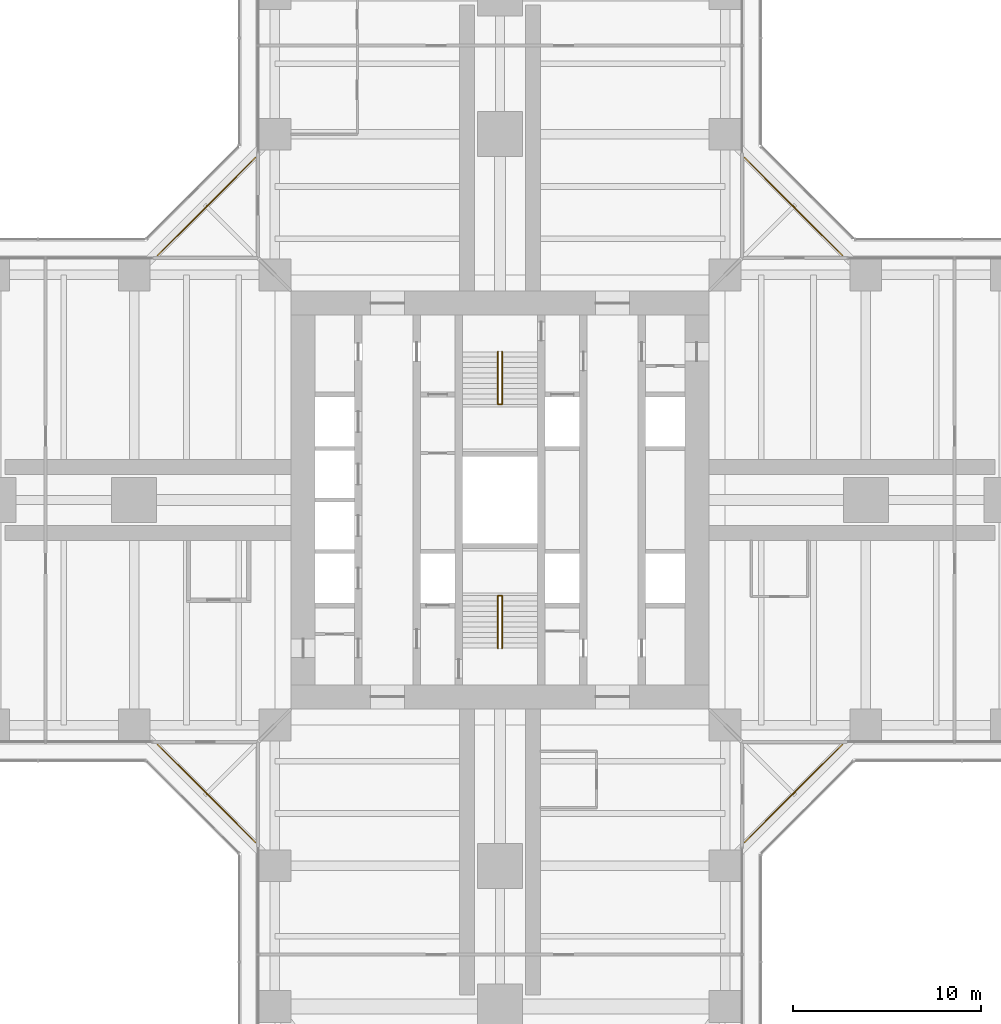
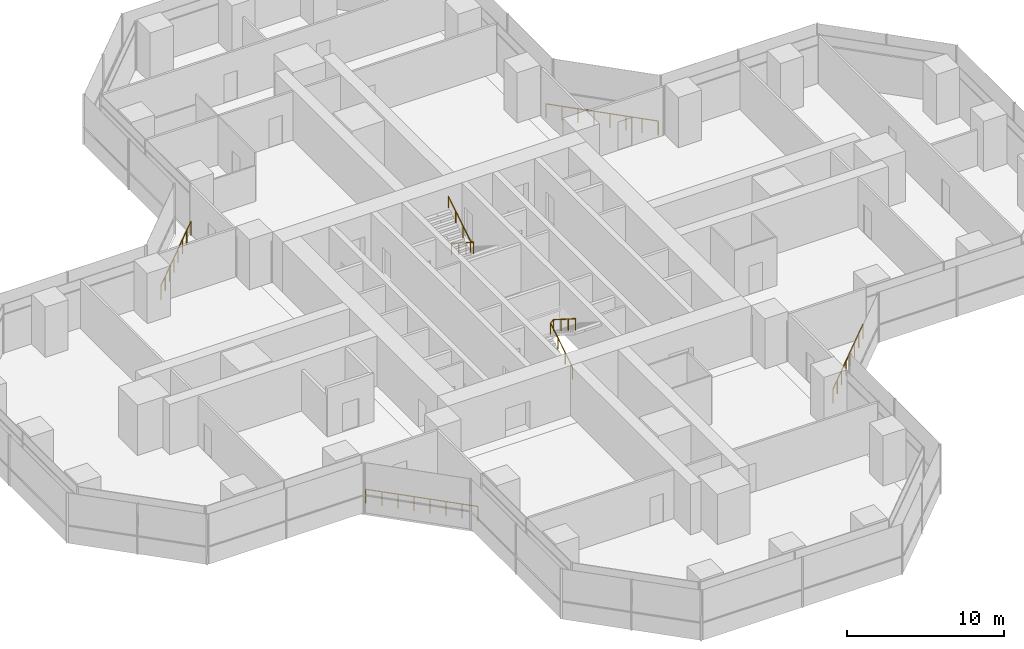
# One storey, part 22 of 22: 6 railings.
"""IFC4 building model written with IfcOpenShell, lengths in metres."""

from ifc_helpers import new_model, si_unit, direction, frame, origin, origin_2d, place, context, subcontext, project, spatial, circle, extrude, material, type_object, element, save


model = new_model("IFC4")

# Units and contexts
model_context = context("Model", 3, precision=1e-05, world=origin(), true_north=direction((0.0, 1.0)))
body_context = subcontext(model_context, "Body", "Model", "MODEL_VIEW")
ifc_project = project(units=[si_unit("LENGTHUNIT", "METRE"), si_unit("AREAUNIT", "SQUARE_METRE"), si_unit("VOLUMEUNIT", "CUBIC_METRE"), si_unit("PLANEANGLEUNIT", "RADIAN"), si_unit("MASSUNIT", "GRAM", prefix="KILO")], contexts=[model_context])

# Site, building, storey
site_placement = place(None, origin())
site = spatial("IfcSite", under=ifc_project, at=site_placement, CompositionType="ELEMENT")
building_placement = place(site_placement, origin())
building = spatial("IfcBuilding", under=site, at=building_placement, Name="Mizan Broadcast Tower", CompositionType="ELEMENT")
storey_placement = place(building_placement, frame((0.0, 0.0, 105.89990234375)))
storey = spatial("IfcBuildingStorey", under=building, at=storey_placement, Name="L23", CompositionType="ELEMENT", Elevation=105.89990234375)

# Railings
ifc_material_1 = material(Name="Stainless steel and glass guard", Category="steel")
railing_type_1 = type_object("IfcRailingType", Name="GUARD 1100", PredefinedType="GUARDRAIL", material=ifc_material_1)
railing_1_placement = place(storey_placement, frame((18.2578125, 13.030029296875, 0.0)))
element("IfcRailing", 1, at=railing_1_placement, inside=storey, type_object=railing_type_1, Name="Winter garden guard L23 E", PredefinedType="GUARDRAIL", context=body_context, shape_type="SweptSolid", body=[
    extrude(circle(Radius=0.02392578125, at=origin_2d()), frame((0.0, 0.0, 1.076171875), z_axis=(-0.707106781187, 0.707106781187, 0.0), x_axis=(-0.707106781187, -0.707106781187, 0.0)), (0.0, 0.0, 1.0), 7.393310546875),
    extrude(circle(Radius=0.02099609375, at=origin_2d()), origin(), (0.0, 0.0, 1.0), 1.052001953125),
    extrude(circle(Radius=0.02099609375, at=origin_2d()), frame((-0.746826171875, 0.746826171875, 0.0)), (0.0, 0.0, 1.0), 1.052001953125),
    extrude(circle(Radius=0.02099609375, at=origin_2d()), frame((-1.49365234375, 1.49365234375, 0.0)), (0.0, 0.0, 1.0), 1.052001953125),
    extrude(circle(Radius=0.02099609375, at=origin_2d()), frame((-2.240478515625, 2.240478515625, 0.0)), (0.0, 0.0, 1.0), 1.052001953125),
    extrude(circle(Radius=0.02099609375, at=origin_2d()), frame((-2.9873046875, 2.9873046875, 0.0)), (0.0, 0.0, 1.0), 1.052001953125),
    extrude(circle(Radius=0.02099609375, at=origin_2d()), frame((-3.734130859375, 3.734130859375, 0.0)), (0.0, 0.0, 1.0), 1.052001953125),
    extrude(circle(Radius=0.02099609375, at=origin_2d()), frame((-4.48095703125, 4.48095703125, 0.0)), (0.0, 0.0, 1.0), 1.052001953125),
    extrude(circle(Radius=0.02099609375, at=origin_2d()), frame((-5.227783203125, 5.227783203125, 0.0)), (0.0, 0.0, 1.0), 1.052001953125),
])
railing_2_placement = place(storey_placement, frame((-13.030029296875, 18.2578125, 0.0)))
element("IfcRailing", 2, at=railing_2_placement, inside=storey, type_object=railing_type_1, Name="Winter garden guard L23 N", PredefinedType="GUARDRAIL", context=body_context, shape_type="SweptSolid", body=[
    extrude(circle(Radius=0.02392578125, at=origin_2d()), frame((0.0, 0.0, 1.076171875), z_axis=(-0.707106781187, -0.707106781187, 0.0), x_axis=(0.707106781187, -0.707106781187, 0.0)), (0.0, 0.0, 1.0), 7.393310546875),
    extrude(circle(Radius=0.02099609375, at=origin_2d()), origin(), (0.0, 0.0, 1.0), 1.052001953125),
    extrude(circle(Radius=0.02099609375, at=origin_2d()), frame((-0.746826171875, -0.746826171875, 0.0)), (0.0, 0.0, 1.0), 1.052001953125),
    extrude(circle(Radius=0.02099609375, at=origin_2d()), frame((-1.49365234375, -1.49365234375, 0.0)), (0.0, 0.0, 1.0), 1.052001953125),
    extrude(circle(Radius=0.02099609375, at=origin_2d()), frame((-2.240478515625, -2.240478515625, 0.0)), (0.0, 0.0, 1.0), 1.052001953125),
    extrude(circle(Radius=0.02099609375, at=origin_2d()), frame((-2.9873046875, -2.9873046875, 0.0)), (0.0, 0.0, 1.0), 1.052001953125),
    extrude(circle(Radius=0.02099609375, at=origin_2d()), frame((-3.734130859375, -3.734130859375, 0.0)), (0.0, 0.0, 1.0), 1.052001953125),
    extrude(circle(Radius=0.02099609375, at=origin_2d()), frame((-4.48095703125, -4.48095703125, 0.0)), (0.0, 0.0, 1.0), 1.052001953125),
    extrude(circle(Radius=0.02099609375, at=origin_2d()), frame((-5.227783203125, -5.227783203125, 0.0)), (0.0, 0.0, 1.0), 1.052001953125),
])
railing_3_placement = place(storey_placement, frame((-18.2578125, -13.030029296875, 0.0)))
element("IfcRailing", 3, at=railing_3_placement, inside=storey, type_object=railing_type_1, Name="Winter garden guard L23 W", PredefinedType="GUARDRAIL", context=body_context, shape_type="SweptSolid", body=[
    extrude(circle(Radius=0.02392578125, at=origin_2d()), frame((0.0, 0.0, 1.076171875), z_axis=(0.707106781187, -0.707106781187, 0.0), x_axis=(0.707106781187, 0.707106781187, 0.0)), (0.0, 0.0, 1.0), 7.393310546875),
    extrude(circle(Radius=0.02099609375, at=origin_2d()), origin(), (0.0, 0.0, 1.0), 1.052001953125),
    extrude(circle(Radius=0.02099609375, at=origin_2d()), frame((0.746826171875, -0.746826171875, 0.0)), (0.0, 0.0, 1.0), 1.052001953125),
    extrude(circle(Radius=0.02099609375, at=origin_2d()), frame((1.49365234375, -1.49365234375, 0.0)), (0.0, 0.0, 1.0), 1.052001953125),
    extrude(circle(Radius=0.02099609375, at=origin_2d()), frame((2.240478515625, -2.240478515625, 0.0)), (0.0, 0.0, 1.0), 1.052001953125),
    extrude(circle(Radius=0.02099609375, at=origin_2d()), frame((2.9873046875, -2.9873046875, 0.0)), (0.0, 0.0, 1.0), 1.052001953125),
    extrude(circle(Radius=0.02099609375, at=origin_2d()), frame((3.734130859375, -3.734130859375, 0.0)), (0.0, 0.0, 1.0), 1.052001953125),
    extrude(circle(Radius=0.02099609375, at=origin_2d()), frame((4.48095703125, -4.48095703125, 0.0)), (0.0, 0.0, 1.0), 1.052001953125),
    extrude(circle(Radius=0.02099609375, at=origin_2d()), frame((5.227783203125, -5.227783203125, 0.0)), (0.0, 0.0, 1.0), 1.052001953125),
])
railing_4_placement = place(storey_placement, frame((13.030029296875, -18.2578125, 0.0)))
element("IfcRailing", 4, at=railing_4_placement, inside=storey, type_object=railing_type_1, Name="Winter garden guard L23 S", PredefinedType="GUARDRAIL", context=body_context, shape_type="SweptSolid", body=[
    extrude(circle(Radius=0.02392578125, at=origin_2d()), frame((0.0, 0.0, 1.076171875), z_axis=(0.707106781187, 0.707106781187, 0.0), x_axis=(-0.707106781187, 0.707106781187, 0.0)), (0.0, 0.0, 1.0), 7.393310546875),
    extrude(circle(Radius=0.02099609375, at=origin_2d()), origin(), (0.0, 0.0, 1.0), 1.052001953125),
    extrude(circle(Radius=0.02099609375, at=origin_2d()), frame((0.746826171875, 0.746826171875, 0.0)), (0.0, 0.0, 1.0), 1.052001953125),
    extrude(circle(Radius=0.02099609375, at=origin_2d()), frame((1.49365234375, 1.49365234375, 0.0)), (0.0, 0.0, 1.0), 1.052001953125),
    extrude(circle(Radius=0.02099609375, at=origin_2d()), frame((2.240478515625, 2.240478515625, 0.0)), (0.0, 0.0, 1.0), 1.052001953125),
    extrude(circle(Radius=0.02099609375, at=origin_2d()), frame((2.9873046875, 2.9873046875, 0.0)), (0.0, 0.0, 1.0), 1.052001953125),
    extrude(circle(Radius=0.02099609375, at=origin_2d()), frame((3.734130859375, 3.734130859375, 0.0)), (0.0, 0.0, 1.0), 1.052001953125),
    extrude(circle(Radius=0.02099609375, at=origin_2d()), frame((4.48095703125, 4.48095703125, 0.0)), (0.0, 0.0, 1.0), 1.052001953125),
    extrude(circle(Radius=0.02099609375, at=origin_2d()), frame((5.227783203125, 5.227783203125, 0.0)), (0.0, 0.0, 1.0), 1.052001953125),
])
ifc_material_2 = material(Name="Stainless steel", Category="steel")
railing_type_2 = type_object("IfcRailingType", Name="HANDRAIL 50", PredefinedType="HANDRAIL", material=ifc_material_2)
railing_5_placement = place(storey_placement, frame((-0.110107421875, -7.89990234375, 0.177490234375)))
element("IfcRailing", 5, at=railing_5_placement, inside=storey, type_object=railing_type_2, Name="Stair A handrail", PredefinedType="HANDRAIL", context=body_context, shape_type="SweptSolid", body=[
    extrude(circle(Radius=0.02392578125, at=origin_2d()), frame((0.0, 0.0, 0.8759765625), z_axis=(0.0, 0.844887892834, 0.53494340686), x_axis=(-1.0, 0.0, 0.0)), (0.0, 0.0, 1.0), 3.313720703125),
    extrude(circle(Radius=0.02392578125, at=origin_2d()), frame((0.0, 2.7998046875, 2.6484375), z_axis=(0.779011685263, 0.0, 0.627009405212), x_axis=(0.0, 1.0, 0.0)), (0.0, 0.0, 1.0), 0.28271484375),
    extrude(circle(Radius=0.02392578125, at=origin_2d()), frame((0.22021484375, 2.7998046875, 2.82568359375), z_axis=(0.0, -0.844887892834, 0.53494340686), x_axis=(1.0, 0.0, 0.0)), (0.0, 0.0, 1.0), 3.313720703125),
    extrude(circle(Radius=0.02099609375, at=origin_2d()), origin(), (0.0, 0.0, 1.0), 0.851806640625),
    extrude(circle(Radius=0.02099609375, at=origin_2d()), frame((0.0, 0.933349609375, 0.5908203125)), (0.0, 0.0, 1.0), 0.851806640625),
    extrude(circle(Radius=0.02099609375, at=origin_2d()), frame((0.0, 1.866455078125, 1.181884765625)), (0.0, 0.0, 1.0), 0.851806640625),
    extrude(circle(Radius=0.02099609375, at=origin_2d()), frame((0.0, 2.7998046875, 1.772705078125)), (0.0, 0.0, 1.0), 0.851806640625),
    extrude(circle(Radius=0.02099609375, at=origin_2d()), frame((0.22021484375, 2.7998046875, 1.949951171875)), (0.0, 0.0, 1.0), 0.851806640625),
    extrude(circle(Radius=0.02099609375, at=origin_2d()), frame((0.22021484375, 1.866455078125, 2.540771484375)), (0.0, 0.0, 1.0), 0.851806640625),
    extrude(circle(Radius=0.02099609375, at=origin_2d()), frame((0.22021484375, 0.933349609375, 3.1318359375)), (0.0, 0.0, 1.0), 0.851806640625),
    extrude(circle(Radius=0.02099609375, at=origin_2d()), frame((0.22021484375, 0.0, 3.72265625)), (0.0, 0.0, 1.0), 0.851806640625),
])
railing_6_placement = place(storey_placement, frame((0.110107421875, 7.89990234375, 0.177490234375)))
element("IfcRailing", 6, at=railing_6_placement, inside=storey, type_object=railing_type_2, Name="Stair B handrail", PredefinedType="HANDRAIL", context=body_context, shape_type="SweptSolid", body=[
    extrude(circle(Radius=0.02392578125, at=origin_2d()), frame((0.0, 0.0, 0.8759765625), z_axis=(0.0, -0.844887892834, 0.53494340686), x_axis=(1.0, 0.0, 0.0)), (0.0, 0.0, 1.0), 3.313720703125),
    extrude(circle(Radius=0.02392578125, at=origin_2d()), frame((0.0, -2.7998046875, 2.6484375), z_axis=(-0.779011685263, 0.0, 0.627009405212), x_axis=(0.0, -1.0, 0.0)), (0.0, 0.0, 1.0), 0.28271484375),
    extrude(circle(Radius=0.02392578125, at=origin_2d()), frame((-0.22021484375, -2.7998046875, 2.82568359375), z_axis=(0.0, 0.844887892834, 0.53494340686), x_axis=(-1.0, 0.0, 0.0)), (0.0, 0.0, 1.0), 3.313720703125),
    extrude(circle(Radius=0.02099609375, at=origin_2d()), origin(), (0.0, 0.0, 1.0), 0.851806640625),
    extrude(circle(Radius=0.02099609375, at=origin_2d()), frame((0.0, -0.933349609375, 0.5908203125)), (0.0, 0.0, 1.0), 0.851806640625),
    extrude(circle(Radius=0.02099609375, at=origin_2d()), frame((0.0, -1.866455078125, 1.181884765625)), (0.0, 0.0, 1.0), 0.851806640625),
    extrude(circle(Radius=0.02099609375, at=origin_2d()), frame((0.0, -2.7998046875, 1.772705078125)), (0.0, 0.0, 1.0), 0.851806640625),
    extrude(circle(Radius=0.02099609375, at=origin_2d()), frame((-0.22021484375, -2.7998046875, 1.949951171875)), (0.0, 0.0, 1.0), 0.851806640625),
    extrude(circle(Radius=0.02099609375, at=origin_2d()), frame((-0.22021484375, -1.866455078125, 2.540771484375)), (0.0, 0.0, 1.0), 0.851806640625),
    extrude(circle(Radius=0.02099609375, at=origin_2d()), frame((-0.22021484375, -0.933349609375, 3.1318359375)), (0.0, 0.0, 1.0), 0.851806640625),
    extrude(circle(Radius=0.02099609375, at=origin_2d()), frame((-0.22021484375, 0.0, 3.72265625)), (0.0, 0.0, 1.0), 0.851806640625),
])

save(model, "model.ifc")
